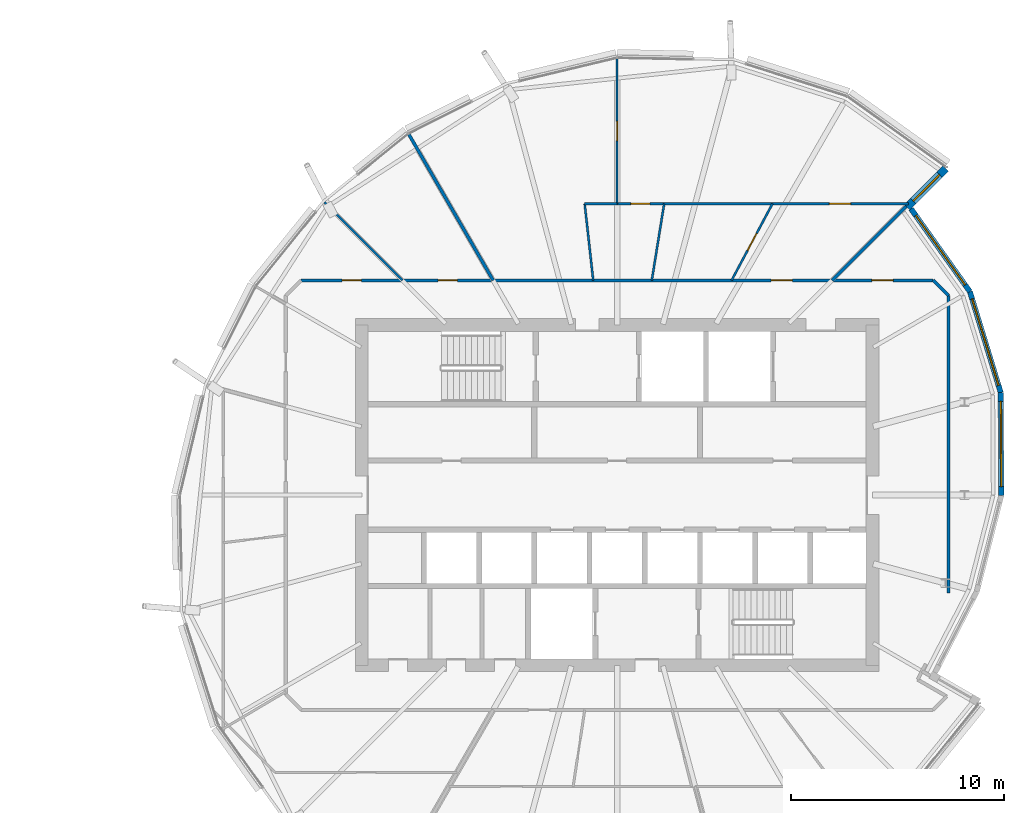
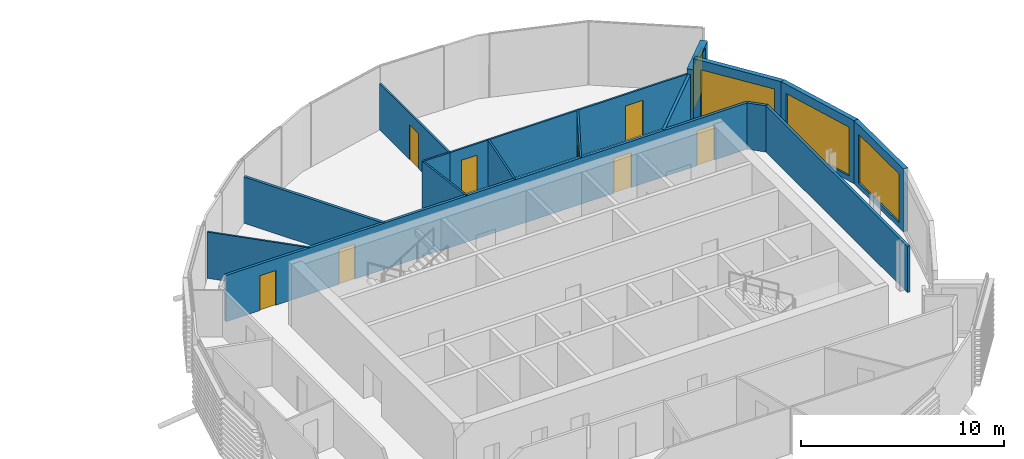
# One storey, part 24 of 38: 16 walls, 8 doors, 4 windows, 12 openings.
"""IFC4 building model written with IfcOpenShell, lengths in metres."""

from ifc_helpers import new_model, si_unit, direction, frame, frame_2d, origin, place, context, subcontext, project, spatial, rectangle, extrude, material, layer, layer_set, type_object, element, fill, save


model = new_model("IFC4")

# Units and contexts
model_context = context("Model", 3, precision=1e-05, world=origin(), true_north=direction((0.0, 1.0)))
body_context = subcontext(model_context, "Body", "Model", "MODEL_VIEW")
ifc_project = project(units=[si_unit("LENGTHUNIT", "METRE"), si_unit("AREAUNIT", "SQUARE_METRE"), si_unit("VOLUMEUNIT", "CUBIC_METRE"), si_unit("PLANEANGLEUNIT", "RADIAN"), si_unit("MASSUNIT", "GRAM", prefix="KILO")], contexts=[model_context])

# Site, building, storey
site_placement = place(None, origin())
site = spatial("IfcSite", under=ifc_project, at=site_placement, CompositionType="ELEMENT")
building_placement = place(site_placement, origin())
building = spatial("IfcBuilding", under=site, at=building_placement, Name="Rimbun Link Towers", CompositionType="ELEMENT")
storey_placement = place(building_placement, frame((0.0, 0.0, 185.5)))
storey = spatial("IfcBuildingStorey", under=building, at=storey_placement, Name="L45", CompositionType="ELEMENT", Elevation=185.5)

# Wall, opening, window
ifc_material_1 = material(Name="Dark enamelled glass spandrel on insulated aluminium backpan", Category="aluminium")
ifc_layer_1 = layer(ifc_material_1, 0.25)
ifc_layer_set_1 = layer_set([ifc_layer_1], Name="CS dark enamelled spandrel wall 250")
wall_type_1 = type_object("IfcWallType", Name="CS dark enamelled spandrel wall 250", PredefinedType="STANDARD", material=ifc_layer_set_1)
wall_1_placement = place(storey_placement, frame((49.7822265625, 4.8173828125, 0.0), z_axis=(0.0, 0.0, 1.0), x_axis=(0.005556873031, -0.999984560462, 0.0)))
wall_1 = element("IfcWall", 1, at=wall_1_placement, inside=storey, type_object=wall_type_1, Name="Crease spandrel wall", PredefinedType="STANDARD", context=body_context, shape_type="SweptSolid", body=[
    extrude(rectangle(XDim=4.832763671875, YDim=0.25, at=frame_2d((2.41650390625, 0.0))), origin(), (0.0, 0.0, 1.0), 3.800048828125),
])
opening_1_placement = place(wall_1_placement, frame((0.416259765625, 0.0, 0.300048828125)))
opening_1 = element("IfcOpeningElement", 2, at=opening_1_placement, cuts=wall_1, Name="Opening WR40H295", PredefinedType="OPENING", context=body_context, shape_type="SweptSolid", body=[
    extrude(rectangle(XDim=4.0, YDim=2.949951171875, at=frame_2d((2.0, 1.47509765625))), frame((0.0, 0.135009765625, 0.0), z_axis=(0.0, -1.0, 0.0), x_axis=(1.0, 0.0, 0.0)), (0.0, 0.0, 1.0), 0.27001953125),
])
ifc_material_2 = material(Name="Aluminium framed fixed window, dark tinted low-e glass", Category="aluminium")
window_type_1 = type_object("IfcWindowType", Name="WR ribbon window 4000X2950", PartitioningType="SINGLE_PANEL", PredefinedType="WINDOW", material=ifc_material_2)
window_1_placement = place(opening_1_placement, origin())
window_1 = element("IfcWindow", 3, at=window_1_placement, inside=storey, type_object=window_type_1, Name="Crease ribbon window", OverallHeight=2.949951171875, OverallWidth=4.0, PartitioningType="SINGLE_PANEL", PredefinedType="WINDOW", context=body_context, shape_type="SweptSolid", body=[
    extrude(rectangle(XDim=4.0, YDim=2.949951171875, at=frame_2d((2.0, 1.47509765625))), frame((0.0, 0.030029296875, 0.0), z_axis=(0.0, -1.0, 0.0), x_axis=(1.0, 0.0, 0.0)), (0.0, 0.0, 1.0), 0.06005859375),
])
fill(opening_1, window_1)

wall_2_placement = place(storey_placement, frame((48.333251953125, 9.564697265625, 0.0), z_axis=(0.0, 0.0, 1.0), x_axis=(0.291924857716, -0.956441256663, 0.0)))
wall_2 = element("IfcWall", 4, at=wall_2_placement, inside=storey, type_object=wall_type_1, Name="Crease spandrel wall", PredefinedType="STANDARD", context=body_context, shape_type="SweptSolid", body=[
    extrude(rectangle(XDim=4.963623046875, YDim=0.25, at=frame_2d((2.48193359375, 0.0))), origin(), (0.0, 0.0, 1.0), 3.800048828125),
])
opening_2_placement = place(wall_2_placement, frame((0.356689453125, 0.0, 0.300048828125)))
opening_2 = element("IfcOpeningElement", 5, at=opening_2_placement, cuts=wall_2, Name="Opening WR42H295", PredefinedType="OPENING", context=body_context, shape_type="SweptSolid", body=[
    extrude(rectangle(XDim=4.25, YDim=2.949951171875, at=frame_2d((2.125, 1.47509765625))), frame((0.0, 0.135009765625, 0.0), z_axis=(0.0, -1.0, 0.0), x_axis=(1.0, 0.0, 0.0)), (0.0, 0.0, 1.0), 0.27001953125),
])
ifc_material_3 = material(Name="Aluminium framed fixed window, dark tinted low-e glass", Category="aluminium")
window_type_2 = type_object("IfcWindowType", Name="WR ribbon window 4250X2950", PartitioningType="SINGLE_PANEL", PredefinedType="WINDOW", material=ifc_material_3)
window_2_placement = place(opening_2_placement, origin())
window_2 = element("IfcWindow", 6, at=window_2_placement, inside=storey, type_object=window_type_2, Name="Crease ribbon window", OverallHeight=2.949951171875, OverallWidth=4.25, PartitioningType="SINGLE_PANEL", PredefinedType="WINDOW", context=body_context, shape_type="SweptSolid", body=[
    extrude(rectangle(XDim=4.25, YDim=2.949951171875, at=frame_2d((2.125, 1.47509765625))), frame((0.0, 0.030029296875, 0.0), z_axis=(0.0, -1.0, 0.0), x_axis=(1.0, 0.0, 0.0)), (0.0, 0.0, 1.0), 0.06005859375),
])
fill(opening_2, window_2)

wall_3_placement = place(storey_placement, frame((45.563720703125, 13.460205078125, 0.0), z_axis=(0.0, 0.0, 1.0), x_axis=(0.579439349733, -0.815015361807, 0.0)))
wall_3 = element("IfcWall", 7, at=wall_3_placement, inside=storey, type_object=wall_type_1, Name="Crease spandrel wall", PredefinedType="STANDARD", context=body_context, shape_type="SweptSolid", body=[
    extrude(rectangle(XDim=4.77978515625, YDim=0.25, at=frame_2d((2.389892578125, 0.0))), origin(), (0.0, 0.0, 1.0), 3.800048828125),
])
opening_3_placement = place(wall_3_placement, frame((0.389892578125, 0.0, 0.300048828125)))
opening_3 = element("IfcOpeningElement", 8, at=opening_3_placement, cuts=wall_3, Name="Opening WR40H295", PredefinedType="OPENING", context=body_context, shape_type="SweptSolid", body=[
    extrude(rectangle(XDim=4.0, YDim=2.949951171875, at=frame_2d((2.0, 1.47509765625))), frame((0.0, 0.135009765625, 0.0), z_axis=(0.0, -1.0, 0.0), x_axis=(1.0, 0.0, 0.0)), (0.0, 0.0, 1.0), 0.27001953125),
])
window_3_placement = place(opening_3_placement, origin())
window_3 = element("IfcWindow", 9, at=window_3_placement, inside=storey, type_object=window_type_1, Name="Crease ribbon window", OverallHeight=2.949951171875, OverallWidth=4.0, PartitioningType="SINGLE_PANEL", PredefinedType="WINDOW", context=body_context, shape_type="SweptSolid", body=[
    extrude(rectangle(XDim=4.0, YDim=2.949951171875, at=frame_2d((2.0, 1.47509765625))), frame((0.0, 0.030029296875, 0.0), z_axis=(0.0, -1.0, 0.0), x_axis=(1.0, 0.0, 0.0)), (0.0, 0.0, 1.0), 0.06005859375),
])
fill(opening_3, window_3)

ifc_material_4 = material(Name="Dark enamelled glass spandrel on insulated aluminium backpan", Category="aluminium")
ifc_layer_2 = layer(ifc_material_4, 0.3701171875)
ifc_layer_set_2 = layer_set([ifc_layer_2], Name="CS dark enamelled spandrel wall 370")
wall_type_2 = type_object("IfcWallType", Name="CS dark enamelled spandrel wall 370", PredefinedType="STANDARD", material=ifc_layer_set_2)
wall_4_placement = place(storey_placement, frame((47.197509765625, 15.35546875, 0.0), z_axis=(0.0, 0.0, 1.0), x_axis=(-0.70715409354, -0.707059465667, 0.0)))
wall_4 = element("IfcWall", 10, at=wall_4_placement, inside=storey, type_object=wall_type_2, Name="Crease spandrel wall", PredefinedType="STANDARD", context=body_context, shape_type="SweptSolid", body=[
    extrude(rectangle(XDim=2.580078125, YDim=0.3701171875, at=frame_2d((1.2900390625, 0.0))), origin(), (0.0, 0.0, 1.0), 3.10693359375),
])
opening_4_placement = place(wall_4_placement, frame((0.4150390625, 0.0, 0.300048828125)))
opening_4 = element("IfcOpeningElement", 11, at=opening_4_placement, cuts=wall_4, Name="Opening WR18H270", PredefinedType="OPENING", context=body_context, shape_type="SweptSolid", body=[
    extrude(rectangle(XDim=1.75, YDim=2.699951171875, at=frame_2d((0.875, 1.35009765625))), frame((0.0, 0.195068359375, 0.0), z_axis=(0.0, -1.0, 0.0), x_axis=(1.0, 0.0, 0.0)), (0.0, 0.0, 1.0), 0.39013671875),
])
ifc_material_5 = material(Name="Aluminium framed fixed window, dark tinted low-e glass", Category="aluminium")
window_type_3 = type_object("IfcWindowType", Name="WR ribbon window 1750X2700", PartitioningType="SINGLE_PANEL", PredefinedType="WINDOW", material=ifc_material_5)
window_4_placement = place(opening_4_placement, origin())
window_4 = element("IfcWindow", 12, at=window_4_placement, inside=storey, type_object=window_type_3, Name="Crease ribbon window", OverallHeight=2.699951171875, OverallWidth=1.75, PartitioningType="SINGLE_PANEL", PredefinedType="WINDOW", context=body_context, shape_type="SweptSolid", body=[
    extrude(rectangle(XDim=1.75, YDim=2.699951171875, at=frame_2d((0.875, 1.35009765625))), frame((0.0, 0.030029296875, 0.0), z_axis=(0.0, -1.0, 0.0), x_axis=(1.0, 0.0, 0.0)), (0.0, 0.0, 1.0), 0.06005859375),
])
fill(opening_4, window_4)

# Wall
ifc_material_6 = material(Name="Plasterboard on steel stud, mineral wool", Category="steel")
ifc_layer_3 = layer(ifc_material_6, 0.14990234375)
ifc_layer_set_3 = layer_set([ifc_layer_3], Name="Corridor wall EI 30 150 mm")
wall_type_3 = type_object("IfcWallType", Name="Corridor wall EI 30 150 mm", PredefinedType="PARTITIONING", material=ifc_layer_set_3)
wall_5_placement = place(storey_placement, frame((47.324951171875, -4.607421875, 0.0), z_axis=(0.0, 0.0, 1.0), x_axis=(0.0, 1.0, 0.0)))
element("IfcWall", 13, at=wall_5_placement, inside=storey, type_object=wall_type_3, Name="Corridor wall EI 30 150 mm", PredefinedType="PARTITIONING", context=body_context, shape_type="SweptSolid", body=[
    extrude(rectangle(XDim=13.981201171875, YDim=0.14990234375, at=frame_2d((6.99072265625, 0.0))), origin(), (0.0, 0.0, 1.0), 2.7890625),
])

# Wall, openings, doors
wall_6_placement = place(storey_placement, frame((16.896240234375, 10.094970703125, 0.0), z_axis=(0.0, 0.0, 1.0), x_axis=(1.0, 0.0, 0.0)))
wall_6 = element("IfcWall", 14, at=wall_6_placement, inside=storey, type_object=wall_type_3, Name="Corridor wall EI 30 150 mm", PredefinedType="PARTITIONING", context=body_context, shape_type="SweptSolid", body=[
    extrude(rectangle(XDim=29.70751953125, YDim=0.14990234375, at=frame_2d((14.853759765625, 0.0))), origin(), (0.0, 0.0, 1.0), 2.7890625),
])
opening_5_placement = place(wall_6_placement, frame((22.091796875, 0.0, 0.0)))
opening_5 = element("IfcOpeningElement", 15, at=opening_5_placement, cuts=wall_6, Name="Opening D01", PredefinedType="OPENING", context=body_context, shape_type="SweptSolid", body=[
    extrude(rectangle(XDim=1.0, YDim=2.10009765625, at=frame_2d((0.5, 1.050048828125))), frame((0.0, 0.0849609375, 0.0), z_axis=(0.0, -1.0, 0.0), x_axis=(1.0, 0.0, 0.0)), (0.0, 0.0, 1.0), 0.169921875),
])
opening_6_placement = place(wall_6_placement, frame((6.44189453125, 0.0, 0.0)))
opening_6 = element("IfcOpeningElement", 16, at=opening_6_placement, cuts=wall_6, Name="Opening D02", PredefinedType="OPENING", context=body_context, shape_type="SweptSolid", body=[
    extrude(rectangle(XDim=0.89990234375, YDim=2.10009765625, at=frame_2d((0.449951171875, 1.050048828125))), frame((0.0, 0.0849609375, 0.0), z_axis=(0.0, -1.0, 0.0), x_axis=(1.0, 0.0, 0.0)), (0.0, 0.0, 1.0), 0.169921875),
])
opening_7_placement = place(wall_6_placement, frame((1.92919921875, 0.0, 0.0)))
opening_7 = element("IfcOpeningElement", 17, at=opening_7_placement, cuts=wall_6, Name="Opening D02", PredefinedType="OPENING", context=body_context, shape_type="SweptSolid", body=[
    extrude(rectangle(XDim=0.89990234375, YDim=2.10009765625, at=frame_2d((0.449951171875, 1.050048828125))), frame((0.0, 0.0849609375, 0.0), z_axis=(0.0, -1.0, 0.0), x_axis=(1.0, 0.0, 0.0)), (0.0, 0.0, 1.0), 0.169921875),
])
opening_8_placement = place(wall_6_placement, frame((26.828125, 0.0, 0.0)))
opening_8 = element("IfcOpeningElement", 18, at=opening_8_placement, cuts=wall_6, Name="Opening D01", PredefinedType="OPENING", context=body_context, shape_type="SweptSolid", body=[
    extrude(rectangle(XDim=1.0, YDim=2.10009765625, at=frame_2d((0.5, 1.050048828125))), frame((0.0, 0.0849609375, 0.0), z_axis=(0.0, -1.0, 0.0), x_axis=(1.0, 0.0, 0.0)), (0.0, 0.0, 1.0), 0.169921875),
])
ifc_material_7 = material(Name="Fire-resisting timber door leaf", Category="wood")
door_type_1 = type_object("IfcDoorType", Name="Fire door FD30S 1000", OperationType="NOTDEFINED", PredefinedType="DOOR", material=ifc_material_7)
door_1_placement = place(opening_5_placement, origin())
door_1 = element("IfcDoor", 19, at=door_1_placement, inside=storey, type_object=door_type_1, Name="Fire door FD30S 1000 to Tenant lobby", OperationType="SINGLE_SWING_LEFT", OverallHeight=2.10009765625, OverallWidth=1.0, PredefinedType="DOOR", context=body_context, shape_type="SweptSolid", body=[
    extrude(rectangle(XDim=1.0, YDim=2.10009765625, at=frame_2d((0.5, 1.050048828125))), frame((0.0, 0.02490234375, 0.0), z_axis=(0.0, -1.0, 0.0), x_axis=(1.0, 0.0, 0.0)), (0.0, 0.0, 1.0), 0.050048828125),
])
fill(opening_5, door_1)
door_2_placement = place(opening_8_placement, origin())
door_2 = element("IfcDoor", 20, at=door_2_placement, inside=storey, type_object=door_type_1, Name="Fire door FD30S 1000 to Terrace office", OperationType="SINGLE_SWING_LEFT", OverallHeight=2.10009765625, OverallWidth=1.0, PredefinedType="DOOR", context=body_context, shape_type="SweptSolid", body=[
    extrude(rectangle(XDim=1.0, YDim=2.10009765625, at=frame_2d((0.5, 1.050048828125))), frame((0.0, 0.02490234375, 0.0), z_axis=(0.0, -1.0, 0.0), x_axis=(1.0, 0.0, 0.0)), (0.0, 0.0, 1.0), 0.050048828125),
])
fill(opening_8, door_2)
ifc_material_8 = material(Name="Fire-resisting timber door leaf", Category="wood")
door_type_2 = type_object("IfcDoorType", Name="Fire door FD30S 900", OperationType="NOTDEFINED", PredefinedType="DOOR", material=ifc_material_8)
door_3_placement = place(opening_6_placement, origin())
door_3 = element("IfcDoor", 21, at=door_3_placement, inside=storey, type_object=door_type_2, Name="Fire door FD30S 900 to Cellular office", OperationType="SINGLE_SWING_RIGHT", OverallHeight=2.10009765625, OverallWidth=0.89990234375, PredefinedType="DOOR", context=body_context, shape_type="SweptSolid", body=[
    extrude(rectangle(XDim=0.89990234375, YDim=2.10009765625, at=frame_2d((0.449951171875, 1.050048828125))), frame((0.0, 0.02490234375, 0.0), z_axis=(0.0, -1.0, 0.0), x_axis=(1.0, 0.0, 0.0)), (0.0, 0.0, 1.0), 0.050048828125),
])
fill(opening_6, door_3)
door_4_placement = place(opening_7_placement, origin())
door_4 = element("IfcDoor", 22, at=door_4_placement, inside=storey, type_object=door_type_2, Name="Fire door FD30S 900 to Meeting room", OperationType="SINGLE_SWING_LEFT", OverallHeight=2.10009765625, OverallWidth=0.89990234375, PredefinedType="DOOR", context=body_context, shape_type="SweptSolid", body=[
    extrude(rectangle(XDim=0.89990234375, YDim=2.10009765625, at=frame_2d((0.449951171875, 1.050048828125))), frame((0.0, 0.02490234375, 0.0), z_axis=(0.0, -1.0, 0.0), x_axis=(1.0, 0.0, 0.0)), (0.0, 0.0, 1.0), 0.050048828125),
])
fill(opening_7, door_4)

# Wall
wall_7_placement = place(storey_placement, frame((47.324951171875, 9.373779296875, 0.0), z_axis=(0.0, 0.0, 1.0), x_axis=(-0.707106781187, 0.707106781187, 0.0)))
element("IfcWall", 23, at=wall_7_placement, inside=storey, type_object=wall_type_3, Name="Corridor wall EI 30 150 mm", PredefinedType="PARTITIONING", context=body_context, shape_type="SweptSolid", body=[
    extrude(rectangle(XDim=1.02001953125, YDim=0.14990234375, at=frame_2d((0.510009765625, 0.0))), origin(), (0.0, 0.0, 1.0), 2.7890625),
])

# Wall, opening, door
ifc_material_9 = material(Name="Plasterboard on steel stud", Category="steel")
ifc_layer_4 = layer(ifc_material_9, 0.10009765625)
ifc_layer_set_4 = layer_set([ifc_layer_4], Name="Plasterboard partition 100 mm")
wall_type_4 = type_object("IfcWallType", Name="Plasterboard partition 100 mm", PredefinedType="PARTITIONING", material=ifc_layer_set_4)
wall_8_placement = place(storey_placement, frame((37.130859375, 10.094970703125, 0.0), z_axis=(0.0, 0.0, 1.0), x_axis=(0.470377006272, 0.882465564184, 0.0)))
wall_8 = element("IfcWall", 24, at=wall_8_placement, inside=storey, type_object=wall_type_4, Name="Plasterboard partition 100 mm", PredefinedType="PARTITIONING", context=body_context, shape_type="SweptSolid", body=[
    extrude(rectangle(XDim=4.07958984375, YDim=0.10009765625, at=frame_2d((2.039794921875, 0.0))), origin(), (0.0, 0.0, 1.0), 2.7890625),
])
opening_9_placement = place(wall_8_placement, frame((1.58984375, 0.0, 0.0)))
opening_9 = element("IfcOpeningElement", 25, at=opening_9_placement, cuts=wall_8, Name="Opening D04", PredefinedType="OPENING", context=body_context, shape_type="SweptSolid", body=[
    extrude(rectangle(XDim=0.89990234375, YDim=2.10009765625, at=frame_2d((0.449951171875, 1.050048828125))), frame((0.0, 0.06005859375, 0.0), z_axis=(0.0, -1.0, 0.0), x_axis=(1.0, 0.0, 0.0)), (0.0, 0.0, 1.0), 0.1201171875),
])
ifc_material_10 = material(Name="Timber door leaf", Category="wood")
door_type_3 = type_object("IfcDoorType", Name="Flush door 900", OperationType="NOTDEFINED", PredefinedType="DOOR", material=ifc_material_10)
door_5_placement = place(opening_9_placement, origin())
door_5 = element("IfcDoor", 26, at=door_5_placement, inside=storey, type_object=door_type_3, Name="Flush door 900 to Huddle room", OperationType="SINGLE_SWING_RIGHT", OverallHeight=2.10009765625, OverallWidth=0.89990234375, PredefinedType="DOOR", context=body_context, shape_type="SweptSolid", body=[
    extrude(rectangle(XDim=0.89990234375, YDim=2.10009765625, at=frame_2d((0.449951171875, 1.050048828125))), frame((0.0, 0.02490234375, 0.0), z_axis=(0.0, -1.0, 0.0), x_axis=(1.0, 0.0, 0.0)), (0.0, 0.0, 1.0), 0.050048828125),
])
fill(opening_9, door_5)

# Wall, openings, doors
wall_9_placement = place(storey_placement, frame((31.75, 13.695068359375, 0.0), z_axis=(0.0, 0.0, 1.0), x_axis=(1.0, 0.0, 0.0)))
wall_9 = element("IfcWall", 27, at=wall_9_placement, inside=storey, type_object=wall_type_4, Name="Plasterboard partition 100 mm", PredefinedType="PARTITIONING", context=body_context, shape_type="SweptSolid", body=[
    extrude(rectangle(XDim=13.695068359375, YDim=0.10009765625, at=frame_2d((6.84765625, 0.0))), origin(), (0.0, 0.0, 1.0), 2.7890625),
])
opening_10_placement = place(wall_9_placement, frame((9.98046875, 0.0, 0.0)))
opening_10 = element("IfcOpeningElement", 28, at=opening_10_placement, cuts=wall_9, Name="Opening D03", PredefinedType="OPENING", context=body_context, shape_type="SweptSolid", body=[
    extrude(rectangle(XDim=1.0, YDim=2.10009765625, at=frame_2d((0.5, 1.050048828125))), frame((0.0, 0.06005859375, 0.0), z_axis=(0.0, -1.0, 0.0), x_axis=(1.0, 0.0, 0.0)), (0.0, 0.0, 1.0), 0.1201171875),
])
opening_11_placement = place(wall_9_placement, frame((0.639892578125, 0.0, 0.0)))
opening_11 = element("IfcOpeningElement", 29, at=opening_11_placement, cuts=wall_9, Name="Opening D04", PredefinedType="OPENING", context=body_context, shape_type="SweptSolid", body=[
    extrude(rectangle(XDim=0.89990234375, YDim=2.10009765625, at=frame_2d((0.449951171875, 1.050048828125))), frame((0.0, 0.06005859375, 0.0), z_axis=(0.0, -1.0, 0.0), x_axis=(1.0, 0.0, 0.0)), (0.0, 0.0, 1.0), 0.1201171875),
])
ifc_material_11 = material(Name="Timber door leaf", Category="wood")
door_type_4 = type_object("IfcDoorType", Name="Flush door 1000", OperationType="NOTDEFINED", PredefinedType="DOOR", material=ifc_material_11)
door_6_placement = place(opening_10_placement, origin())
door_6 = element("IfcDoor", 30, at=door_6_placement, inside=storey, type_object=door_type_4, Name="Flush door 1000 to Open office", OperationType="SINGLE_SWING_LEFT", OverallHeight=2.10009765625, OverallWidth=1.0, PredefinedType="DOOR", context=body_context, shape_type="SweptSolid", body=[
    extrude(rectangle(XDim=1.0, YDim=2.10009765625, at=frame_2d((0.5, 1.050048828125))), frame((0.0, 0.02490234375, 0.0), z_axis=(0.0, -1.0, 0.0), x_axis=(1.0, 0.0, 0.0)), (0.0, 0.0, 1.0), 0.050048828125),
])
fill(opening_10, door_6)
door_7_placement = place(opening_11_placement, origin())
door_7 = element("IfcDoor", 31, at=door_7_placement, inside=storey, type_object=door_type_3, Name="Flush door 900 to Huddle room", OperationType="SINGLE_SWING_RIGHT", OverallHeight=2.10009765625, OverallWidth=0.89990234375, PredefinedType="DOOR", context=body_context, shape_type="SweptSolid", body=[
    extrude(rectangle(XDim=0.89990234375, YDim=2.10009765625, at=frame_2d((0.449951171875, 1.050048828125))), frame((0.0, 0.02490234375, 0.0), z_axis=(0.0, -1.0, 0.0), x_axis=(1.0, 0.0, 0.0)), (0.0, 0.0, 1.0), 0.050048828125),
])
fill(opening_11, door_7)

# Walls
wall_10_placement = place(storey_placement, frame((33.959716796875, 13.695068359375, 0.0), z_axis=(0.0, 0.0, 1.0), x_axis=(-0.159272431746, -0.98723466941, 0.0)))
element("IfcWall", 32, at=wall_10_placement, inside=storey, type_object=wall_type_4, Name="Plasterboard partition 100 mm", PredefinedType="PARTITIONING", context=body_context, shape_type="SweptSolid", body=[
    extrude(rectangle(XDim=3.646728515625, YDim=0.10009765625, at=frame_2d((1.8232421875, 0.0))), origin(), (0.0, 0.0, 1.0), 2.7890625),
])
wall_11_placement = place(storey_placement, frame((30.2236328125, 13.695068359375, 0.0), z_axis=(0.0, 0.0, 1.0), x_axis=(0.110801382398, -0.993842569856, 0.0)))
element("IfcWall", 33, at=wall_11_placement, inside=storey, type_object=wall_type_4, Name="Plasterboard partition 100 mm", PredefinedType="PARTITIONING", context=body_context, shape_type="SweptSolid", body=[
    extrude(rectangle(XDim=3.622314453125, YDim=0.10009765625, at=frame_2d((1.81103515625, 0.0))), origin(), (0.0, 0.0, 1.0), 2.7890625),
])
wall_12_placement = place(storey_placement, frame((31.75, 13.695068359375, 0.0), z_axis=(0.0, 0.0, 1.0), x_axis=(-1.0, 0.0, 0.0)))
element("IfcWall", 34, at=wall_12_placement, inside=storey, type_object=wall_type_4, Name="Plasterboard partition 100 mm", PredefinedType="PARTITIONING", context=body_context, shape_type="SweptSolid", body=[
    extrude(rectangle(XDim=1.5263671875, YDim=0.10009765625, at=frame_2d((0.76318359375, 0.0))), origin(), (0.0, 0.0, 1.0), 2.7890625),
])

# Wall, opening, door
wall_13_placement = place(storey_placement, frame((31.75, 13.695068359375, 0.0), z_axis=(0.0, 0.0, 1.0), x_axis=(0.0, 1.0, 0.0)))
wall_13 = element("IfcWall", 35, at=wall_13_placement, inside=storey, type_object=wall_type_4, Name="Plasterboard partition 100 mm", PredefinedType="PARTITIONING", context=body_context, shape_type="SweptSolid", body=[
    extrude(rectangle(XDim=6.839111328125, YDim=0.10009765625, at=frame_2d((3.41943359375, 0.0))), origin(), (0.0, 0.0, 1.0), 2.7890625),
])
opening_12_placement = place(wall_13_placement, frame((2.969482421875, 0.0, 0.0)))
opening_12 = element("IfcOpeningElement", 36, at=opening_12_placement, cuts=wall_13, Name="Opening D04", PredefinedType="OPENING", context=body_context, shape_type="SweptSolid", body=[
    extrude(rectangle(XDim=0.89990234375, YDim=2.10009765625, at=frame_2d((0.449951171875, 1.050048828125))), frame((0.0, 0.06005859375, 0.0), z_axis=(0.0, -1.0, 0.0), x_axis=(1.0, 0.0, 0.0)), (0.0, 0.0, 1.0), 0.1201171875),
])
door_8_placement = place(opening_12_placement, origin())
door_8 = element("IfcDoor", 37, at=door_8_placement, inside=storey, type_object=door_type_3, Name="Flush door 900 to Project room", OperationType="SINGLE_SWING_RIGHT", OverallHeight=2.10009765625, OverallWidth=0.89990234375, PredefinedType="DOOR", context=body_context, shape_type="SweptSolid", body=[
    extrude(rectangle(XDim=0.89990234375, YDim=2.10009765625, at=frame_2d((0.449951171875, 1.050048828125))), frame((0.0, 0.02490234375, 0.0), z_axis=(0.0, -1.0, 0.0), x_axis=(1.0, 0.0, 0.0)), (0.0, 0.0, 1.0), 0.050048828125),
])
fill(opening_12, door_8)

# Walls
wall_14_placement = place(storey_placement, frame((17.986083984375, 13.763916015625, 0.0), z_axis=(0.0, 0.0, 1.0), x_axis=(0.707106781187, -0.707106781187, 0.0)))
element("IfcWall", 38, at=wall_14_placement, inside=storey, type_object=wall_type_4, Name="Plasterboard partition 100 mm", PredefinedType="PARTITIONING", context=body_context, shape_type="SweptSolid", body=[
    extrude(rectangle(XDim=5.188720703125, YDim=0.10009765625, at=frame_2d((2.59423828125, 0.0))), origin(), (0.0, 0.0, 1.0), 2.7890625),
])
ifc_material_12 = material(Name="Plasterboard on steel stud, mineral wool", Category="steel")
ifc_layer_5 = layer(ifc_material_12, 0.14990234375)
ifc_layer_set_5 = layer_set([ifc_layer_5], Name="Tenancy separation wall EI 60 150 mm")
wall_type_5 = type_object("IfcWallType", Name="Tenancy separation wall EI 60 150 mm", PredefinedType="PARTITIONING", material=ifc_layer_set_5)
wall_15_placement = place(storey_placement, frame((41.844970703125, 10.094970703125, 0.0), z_axis=(0.0, 0.0, 1.0), x_axis=(0.707106781187, 0.707106781187, 0.0)))
element("IfcWall", 39, at=wall_15_placement, inside=storey, type_object=wall_type_5, Name="Tenancy separation wall EI 60 150 mm", PredefinedType="PARTITIONING", context=body_context, shape_type="SweptSolid", body=[
    extrude(rectangle(XDim=4.924560546875, YDim=0.14990234375, at=frame_2d((2.46240234375, 0.0))), origin(), (0.0, 0.0, 1.0), 2.7890625),
])
wall_16_placement = place(storey_placement, frame((25.921630859375, 10.094970703125, 0.0), z_axis=(0.0, 0.0, 1.0), x_axis=(-0.499997422768, 0.866026891745, 0.0)))
element("IfcWall", 40, at=wall_16_placement, inside=storey, type_object=wall_type_5, Name="Tenancy separation wall EI 60 150 mm", PredefinedType="PARTITIONING", context=body_context, shape_type="SweptSolid", body=[
    extrude(rectangle(XDim=7.94189453125, YDim=0.14990234375, at=frame_2d((3.970947265625, 0.0))), origin(), (0.0, 0.0, 1.0), 2.7890625),
])

save(model, "model.ifc")
